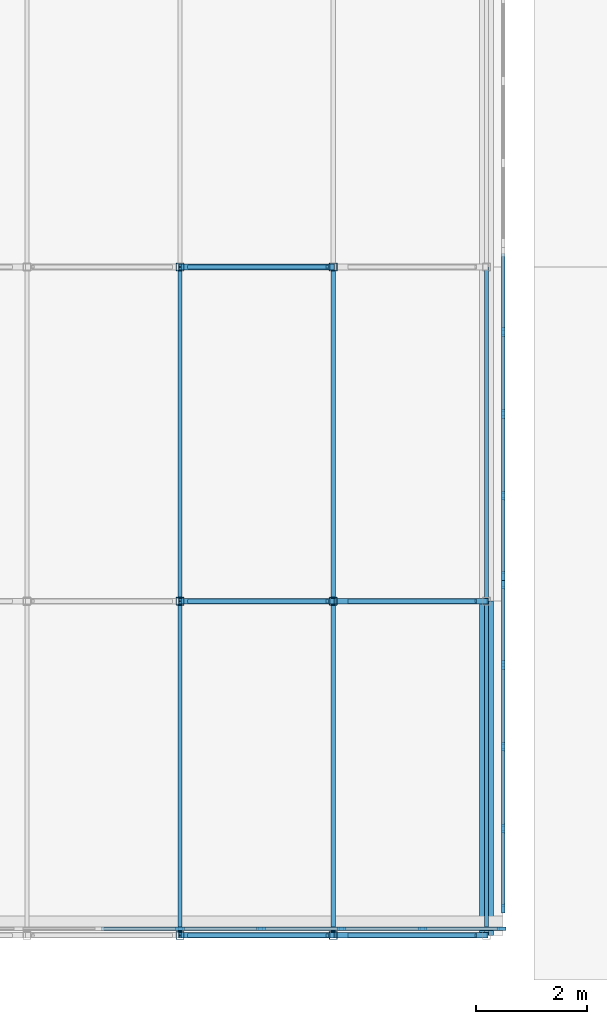
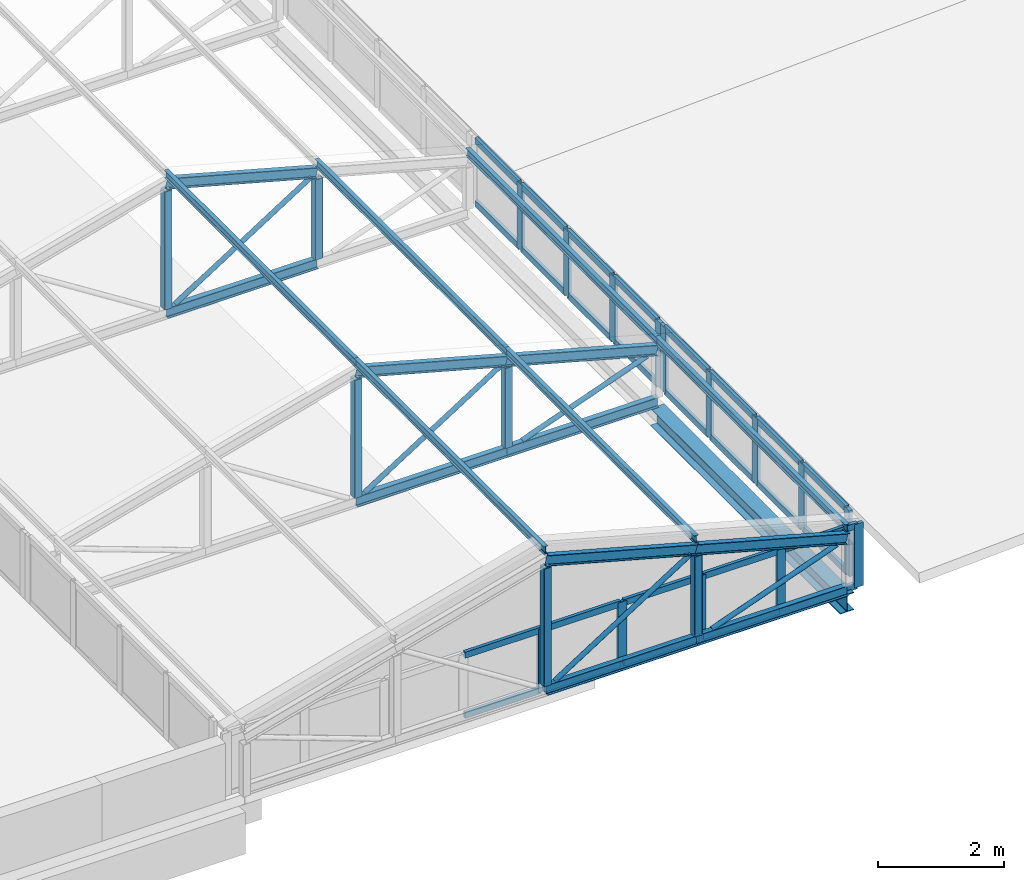
# One storey, part 5 of 94: 67 members, 1 beam, 3 elements without a shape of their own.
"""IFC4 building model written with IfcOpenShell, lengths in metres."""

from ifc_helpers import new_model, si_unit, direction, frame, origin, origin_2d, place, context, subcontext, project, spatial, rectangle, hollow_rectangle, hollow_circle, i_section, extrude, material, layer, layer_set, material_profile, profile_set, type_object, element, aggregate, save


model = new_model("IFC4")

# Units and contexts
model_context = context("Model", 3, precision=1e-05, world=origin(), true_north=direction((0.0, 1.0)))
body_context = subcontext(model_context, "Body", "Model", "MODEL_VIEW")
ifc_project = project(units=[si_unit("LENGTHUNIT", "METRE"), si_unit("AREAUNIT", "SQUARE_METRE"), si_unit("VOLUMEUNIT", "CUBIC_METRE"), si_unit("PLANEANGLEUNIT", "RADIAN"), si_unit("MASSUNIT", "GRAM", prefix="KILO")], contexts=[model_context])

# Site, building, storey
site_placement = place(None, origin())
site = spatial("IfcSite", under=ifc_project, at=site_placement, CompositionType="ELEMENT")
building_placement = place(site_placement, origin())
building = spatial("IfcBuilding", under=site, at=building_placement, Name="Lilac Gate Convention Centre", CompositionType="ELEMENT")
storey_placement = place(building_placement, frame((0.0, 0.0, 21.0)))
storey = spatial("IfcBuildingStorey", under=building, at=storey_placement, Name="L04", CompositionType="ELEMENT", Elevation=21.0)

# Curtain wall, members
ifc_material_1 = material(Name="Aluminium framed double glazing", Category="aluminium")
ifc_layer = layer(ifc_material_1, 0.199951171875)
ifc_layer_set = layer_set([ifc_layer], Name="Aluminium framed double glazing")
curtain_wall_type = type_object("IfcCurtainWallType", Name="Unitised curtain wall 1500", PredefinedType="NOTDEFINED", material=ifc_layer_set)
curtain_wall_1_placement = place(storey_placement, origin())
curtain_wall_1 = element("IfcCurtainWall", 1, at=curtain_wall_1_placement, inside=storey, type_object=curtain_wall_type, Name="Lantern clerestory E 1", PredefinedType="NOTDEFINED")
ifc_material_2 = material(Name="Aluminium alloy 6063", Category="aluminium")
ifc_material_profile_1 = material_profile(ifc_material_2, rectangle(XDim=0.06005859375, YDim=0.159912109375, at=origin_2d()), Name="Curtain wall mullion 60 x 160")
ifc_profile_set_1 = profile_set([ifc_material_profile_1], Name="Aluminium alloy 6063")
member_type_1 = type_object("IfcMemberType", Name="Curtain wall mullion 60 x 160", PredefinedType="MULLION", material=ifc_profile_set_1)
member_1_placement = place(storey_placement, frame((28.89990234375, 30.47998046875, 0.0), z_axis=(0.0, 0.0, 1.0), x_axis=(-1.0, 0.0, 0.0)))
member_1 = element("IfcMember", 2, at=member_1_placement, type_object=member_type_1, Name="CW mullion 1", PredefinedType="MULLION", context=body_context, shape_type="SweptSolid", body=[
    extrude(rectangle(XDim=0.06005859375, YDim=0.159912109375, at=origin_2d()), origin(), (0.0, 0.0, 1.0), 1.272216796875),
])
member_2_placement = place(storey_placement, frame((28.89990234375, 31.918701171875, 0.0), z_axis=(0.0, 0.0, 1.0), x_axis=(-1.0, 0.0, 0.0)))
member_2 = element("IfcMember", 3, at=member_2_placement, type_object=member_type_1, Name="CW mullion 2", PredefinedType="MULLION", context=body_context, shape_type="SweptSolid", body=[
    extrude(rectangle(XDim=0.06005859375, YDim=0.159912109375, at=origin_2d()), origin(), (0.0, 0.0, 1.0), 1.272216796875),
])
member_3_placement = place(storey_placement, frame((28.89990234375, 33.387451171875, 0.0), z_axis=(0.0, 0.0, 1.0), x_axis=(-1.0, 0.0, 0.0)))
member_3 = element("IfcMember", 4, at=member_3_placement, type_object=member_type_1, Name="CW mullion 3", PredefinedType="MULLION", context=body_context, shape_type="SweptSolid", body=[
    extrude(rectangle(XDim=0.06005859375, YDim=0.159912109375, at=origin_2d()), origin(), (0.0, 0.0, 1.0), 1.272216796875),
])
member_4_placement = place(storey_placement, frame((28.89990234375, 34.856201171875, 0.0), z_axis=(0.0, 0.0, 1.0), x_axis=(-1.0, 0.0, 0.0)))
member_4 = element("IfcMember", 5, at=member_4_placement, type_object=member_type_1, Name="CW mullion 4", PredefinedType="MULLION", context=body_context, shape_type="SweptSolid", body=[
    extrude(rectangle(XDim=0.06005859375, YDim=0.159912109375, at=origin_2d()), origin(), (0.0, 0.0, 1.0), 1.272216796875),
])
member_5_placement = place(storey_placement, frame((28.89990234375, 36.294921875, 0.0), z_axis=(0.0, 0.0, 1.0), x_axis=(-1.0, 0.0, 0.0)))
member_5 = element("IfcMember", 6, at=member_5_placement, type_object=member_type_1, Name="CW mullion 5", PredefinedType="MULLION", context=body_context, shape_type="SweptSolid", body=[
    extrude(rectangle(XDim=0.06005859375, YDim=0.159912109375, at=origin_2d()), origin(), (0.0, 0.0, 1.0), 1.272216796875),
])

curtain_wall_2_placement = place(storey_placement, origin())
curtain_wall_2 = element("IfcCurtainWall", 7, at=curtain_wall_2_placement, inside=storey, type_object=curtain_wall_type, Name="Lantern clerestory E 2", PredefinedType="NOTDEFINED")
member_6_placement = place(storey_placement, frame((28.89990234375, 36.455078125, 0.0), z_axis=(0.0, 0.0, 1.0), x_axis=(-1.0, 0.0, 0.0)))
member_6 = element("IfcMember", 8, at=member_6_placement, type_object=member_type_1, Name="CW mullion 1", PredefinedType="MULLION", context=body_context, shape_type="SweptSolid", body=[
    extrude(rectangle(XDim=0.06005859375, YDim=0.159912109375, at=origin_2d()), origin(), (0.0, 0.0, 1.0), 1.272216796875),
])
member_7_placement = place(storey_placement, frame((28.89990234375, 37.893798828125, 0.0), z_axis=(0.0, 0.0, 1.0), x_axis=(-1.0, 0.0, 0.0)))
member_7 = element("IfcMember", 9, at=member_7_placement, type_object=member_type_1, Name="CW mullion 2", PredefinedType="MULLION", context=body_context, shape_type="SweptSolid", body=[
    extrude(rectangle(XDim=0.06005859375, YDim=0.159912109375, at=origin_2d()), origin(), (0.0, 0.0, 1.0), 1.272216796875),
])
member_8_placement = place(storey_placement, frame((28.89990234375, 39.362548828125, 0.0), z_axis=(0.0, 0.0, 1.0), x_axis=(-1.0, 0.0, 0.0)))
member_8 = element("IfcMember", 10, at=member_8_placement, type_object=member_type_1, Name="CW mullion 3", PredefinedType="MULLION", context=body_context, shape_type="SweptSolid", body=[
    extrude(rectangle(XDim=0.06005859375, YDim=0.159912109375, at=origin_2d()), origin(), (0.0, 0.0, 1.0), 1.272216796875),
])
member_9_placement = place(storey_placement, frame((28.89990234375, 40.831298828125, 0.0), z_axis=(0.0, 0.0, 1.0), x_axis=(-1.0, 0.0, 0.0)))
member_9 = element("IfcMember", 11, at=member_9_placement, type_object=member_type_1, Name="CW mullion 4", PredefinedType="MULLION", context=body_context, shape_type="SweptSolid", body=[
    extrude(rectangle(XDim=0.06005859375, YDim=0.159912109375, at=origin_2d()), origin(), (0.0, 0.0, 1.0), 1.272216796875),
])

curtain_wall_3_placement = place(storey_placement, origin())
curtain_wall_3 = element("IfcCurtainWall", 12, at=curtain_wall_3_placement, inside=storey, type_object=curtain_wall_type, Name="Lantern end glazing S", PredefinedType="NOTDEFINED")
member_10_placement = place(storey_placement, frame((23.10009765625, 30.1201171875, 0.0), z_axis=(0.0, 0.0, 1.0), x_axis=(0.0, 1.0, 0.0)))
member_10 = element("IfcMember", 13, at=member_10_placement, type_object=member_type_1, Name="CW mullion 5", PredefinedType="MULLION", context=body_context, shape_type="SweptSolid", body=[
    extrude(rectangle(XDim=0.06005859375, YDim=0.159912109375, at=origin_2d()), origin(), (0.0, 0.0, 1.0), 1.22216796875),
])
member_11_placement = place(storey_placement, frame((24.550048828125, 30.1201171875, 0.0), z_axis=(0.0, 0.0, 1.0), x_axis=(0.0, 1.0, 0.0)))
member_11 = element("IfcMember", 14, at=member_11_placement, type_object=member_type_1, Name="CW mullion 6", PredefinedType="MULLION", context=body_context, shape_type="SweptSolid", body=[
    extrude(rectangle(XDim=0.06005859375, YDim=0.159912109375, at=origin_2d()), origin(), (0.0, 0.0, 1.0), 1.22216796875),
])
member_12_placement = place(storey_placement, frame((26.0, 30.1201171875, 0.0), z_axis=(0.0, 0.0, 1.0), x_axis=(0.0, 1.0, 0.0)))
member_12 = element("IfcMember", 15, at=member_12_placement, type_object=member_type_1, Name="CW mullion 7", PredefinedType="MULLION", context=body_context, shape_type="SweptSolid", body=[
    extrude(rectangle(XDim=0.06005859375, YDim=0.159912109375, at=origin_2d()), origin(), (0.0, 0.0, 1.0), 1.22216796875),
])
member_13_placement = place(storey_placement, frame((27.449951171875, 30.1201171875, 0.0), z_axis=(0.0, 0.0, 1.0), x_axis=(0.0, 1.0, 0.0)))
member_13 = element("IfcMember", 16, at=member_13_placement, type_object=member_type_1, Name="CW mullion 8", PredefinedType="MULLION", context=body_context, shape_type="SweptSolid", body=[
    extrude(rectangle(XDim=0.06005859375, YDim=0.159912109375, at=origin_2d()), origin(), (0.0, 0.0, 1.0), 1.22216796875),
])
member_14_placement = place(storey_placement, frame((28.869873046875, 30.1201171875, 0.0), z_axis=(0.0, 0.0, 1.0), x_axis=(0.0, 1.0, 0.0)))
member_14 = element("IfcMember", 17, at=member_14_placement, type_object=member_type_1, Name="CW mullion 9", PredefinedType="MULLION", context=body_context, shape_type="SweptSolid", body=[
    extrude(rectangle(XDim=0.06005859375, YDim=0.159912109375, at=origin_2d()), origin(), (0.0, 0.0, 1.0), 1.22216796875),
])

# Member
ifc_material_profile_2 = material_profile(ifc_material_2, rectangle(XDim=0.06005859375, YDim=0.1201171875, at=origin_2d()), Name="Curtain wall transom 60 x 120")
ifc_profile_set_2 = profile_set([ifc_material_profile_2], Name="Aluminium alloy 6063")
member_type_2 = type_object("IfcMemberType", Name="Curtain wall transom 60 x 120", PredefinedType="USERDEFINED", material=ifc_profile_set_2)
member_15_placement = place(storey_placement, frame((28.89990234375, 30.510009765625, 0.030029296875), z_axis=(0.0, 1.0, 0.0), x_axis=(-1.0, 0.0, 0.0)))
member_15 = element("IfcMember", 18, at=member_15_placement, type_object=member_type_2, Name="CW transom 1.1", ObjectType="TRANSOM", PredefinedType="USERDEFINED", context=body_context, shape_type="SweptSolid", body=[
    extrude(rectangle(XDim=0.06005859375, YDim=0.1201171875, at=origin_2d()), origin(), (0.0, 0.0, 1.0), 1.378662109375),
])

member_16_placement = place(storey_placement, frame((28.89990234375, 30.510009765625, 1.2421875), z_axis=(0.0, 1.0, 0.0), x_axis=(-1.0, 0.0, 0.0)))
member_16 = element("IfcMember", 19, at=member_16_placement, type_object=member_type_2, Name="CW transom 1.2", ObjectType="TRANSOM", PredefinedType="USERDEFINED", context=body_context, shape_type="SweptSolid", body=[
    extrude(rectangle(XDim=0.06005859375, YDim=0.1201171875, at=origin_2d()), origin(), (0.0, 0.0, 1.0), 1.378662109375),
])

member_17_placement = place(storey_placement, frame((28.89990234375, 31.94873046875, 0.030029296875), z_axis=(0.0, 1.0, 0.0), x_axis=(-1.0, 0.0, 0.0)))
member_17 = element("IfcMember", 20, at=member_17_placement, type_object=member_type_2, Name="CW transom 2.1", ObjectType="TRANSOM", PredefinedType="USERDEFINED", context=body_context, shape_type="SweptSolid", body=[
    extrude(rectangle(XDim=0.06005859375, YDim=0.1201171875, at=origin_2d()), origin(), (0.0, 0.0, 1.0), 1.40869140625),
])

member_18_placement = place(storey_placement, frame((28.89990234375, 31.94873046875, 1.2421875), z_axis=(0.0, 1.0, 0.0), x_axis=(-1.0, 0.0, 0.0)))
member_18 = element("IfcMember", 21, at=member_18_placement, type_object=member_type_2, Name="CW transom 2.2", ObjectType="TRANSOM", PredefinedType="USERDEFINED", context=body_context, shape_type="SweptSolid", body=[
    extrude(rectangle(XDim=0.06005859375, YDim=0.1201171875, at=origin_2d()), origin(), (0.0, 0.0, 1.0), 1.40869140625),
])

member_19_placement = place(storey_placement, frame((28.89990234375, 33.41748046875, 0.030029296875), z_axis=(0.0, 1.0, 0.0), x_axis=(-1.0, 0.0, 0.0)))
member_19 = element("IfcMember", 22, at=member_19_placement, type_object=member_type_2, Name="CW transom 3.1", ObjectType="TRANSOM", PredefinedType="USERDEFINED", context=body_context, shape_type="SweptSolid", body=[
    extrude(rectangle(XDim=0.06005859375, YDim=0.1201171875, at=origin_2d()), origin(), (0.0, 0.0, 1.0), 1.40869140625),
])

member_20_placement = place(storey_placement, frame((28.89990234375, 33.41748046875, 1.2421875), z_axis=(0.0, 1.0, 0.0), x_axis=(-1.0, 0.0, 0.0)))
member_20 = element("IfcMember", 23, at=member_20_placement, type_object=member_type_2, Name="CW transom 3.2", ObjectType="TRANSOM", PredefinedType="USERDEFINED", context=body_context, shape_type="SweptSolid", body=[
    extrude(rectangle(XDim=0.06005859375, YDim=0.1201171875, at=origin_2d()), origin(), (0.0, 0.0, 1.0), 1.40869140625),
])

member_21_placement = place(storey_placement, frame((28.89990234375, 34.88623046875, 0.030029296875), z_axis=(0.0, 1.0, 0.0), x_axis=(-1.0, 0.0, 0.0)))
member_21 = element("IfcMember", 24, at=member_21_placement, type_object=member_type_2, Name="CW transom 4.1", ObjectType="TRANSOM", PredefinedType="USERDEFINED", context=body_context, shape_type="SweptSolid", body=[
    extrude(rectangle(XDim=0.06005859375, YDim=0.1201171875, at=origin_2d()), origin(), (0.0, 0.0, 1.0), 1.378662109375),
])

member_22_placement = place(storey_placement, frame((28.89990234375, 34.88623046875, 1.2421875), z_axis=(0.0, 1.0, 0.0), x_axis=(-1.0, 0.0, 0.0)))
member_22 = element("IfcMember", 25, at=member_22_placement, type_object=member_type_2, Name="CW transom 4.2", ObjectType="TRANSOM", PredefinedType="USERDEFINED", context=body_context, shape_type="SweptSolid", body=[
    extrude(rectangle(XDim=0.06005859375, YDim=0.1201171875, at=origin_2d()), origin(), (0.0, 0.0, 1.0), 1.378662109375),
])

aggregate(curtain_wall_1, [member_1, member_2, member_3, member_4, member_5, member_15, member_16, member_17, member_18, member_19, member_20, member_21, member_22])

member_23_placement = place(storey_placement, frame((28.89990234375, 36.485107421875, 0.030029296875), z_axis=(0.0, 1.0, 0.0), x_axis=(-1.0, 0.0, 0.0)))
member_23 = element("IfcMember", 26, at=member_23_placement, type_object=member_type_2, Name="CW transom 1.1", ObjectType="TRANSOM", PredefinedType="USERDEFINED", context=body_context, shape_type="SweptSolid", body=[
    extrude(rectangle(XDim=0.06005859375, YDim=0.1201171875, at=origin_2d()), origin(), (0.0, 0.0, 1.0), 1.378662109375),
])

member_24_placement = place(storey_placement, frame((28.89990234375, 36.485107421875, 1.2421875), z_axis=(0.0, 1.0, 0.0), x_axis=(-1.0, 0.0, 0.0)))
member_24 = element("IfcMember", 27, at=member_24_placement, type_object=member_type_2, Name="CW transom 1.2", ObjectType="TRANSOM", PredefinedType="USERDEFINED", context=body_context, shape_type="SweptSolid", body=[
    extrude(rectangle(XDim=0.06005859375, YDim=0.1201171875, at=origin_2d()), origin(), (0.0, 0.0, 1.0), 1.378662109375),
])

member_25_placement = place(storey_placement, frame((28.89990234375, 37.923828125, 0.030029296875), z_axis=(0.0, 1.0, 0.0), x_axis=(-1.0, 0.0, 0.0)))
member_25 = element("IfcMember", 28, at=member_25_placement, type_object=member_type_2, Name="CW transom 2.1", ObjectType="TRANSOM", PredefinedType="USERDEFINED", context=body_context, shape_type="SweptSolid", body=[
    extrude(rectangle(XDim=0.06005859375, YDim=0.1201171875, at=origin_2d()), origin(), (0.0, 0.0, 1.0), 1.40869140625),
])

member_26_placement = place(storey_placement, frame((28.89990234375, 37.923828125, 1.2421875), z_axis=(0.0, 1.0, 0.0), x_axis=(-1.0, 0.0, 0.0)))
member_26 = element("IfcMember", 29, at=member_26_placement, type_object=member_type_2, Name="CW transom 2.2", ObjectType="TRANSOM", PredefinedType="USERDEFINED", context=body_context, shape_type="SweptSolid", body=[
    extrude(rectangle(XDim=0.06005859375, YDim=0.1201171875, at=origin_2d()), origin(), (0.0, 0.0, 1.0), 1.40869140625),
])

member_27_placement = place(storey_placement, frame((28.89990234375, 39.392578125, 0.030029296875), z_axis=(0.0, 1.0, 0.0), x_axis=(-1.0, 0.0, 0.0)))
member_27 = element("IfcMember", 30, at=member_27_placement, type_object=member_type_2, Name="CW transom 3.1", ObjectType="TRANSOM", PredefinedType="USERDEFINED", context=body_context, shape_type="SweptSolid", body=[
    extrude(rectangle(XDim=0.06005859375, YDim=0.1201171875, at=origin_2d()), origin(), (0.0, 0.0, 1.0), 1.40869140625),
])

member_28_placement = place(storey_placement, frame((28.89990234375, 39.392578125, 1.2421875), z_axis=(0.0, 1.0, 0.0), x_axis=(-1.0, 0.0, 0.0)))
member_28 = element("IfcMember", 31, at=member_28_placement, type_object=member_type_2, Name="CW transom 3.2", ObjectType="TRANSOM", PredefinedType="USERDEFINED", context=body_context, shape_type="SweptSolid", body=[
    extrude(rectangle(XDim=0.06005859375, YDim=0.1201171875, at=origin_2d()), origin(), (0.0, 0.0, 1.0), 1.40869140625),
])

member_29_placement = place(storey_placement, frame((28.89990234375, 40.861328125, 0.030029296875), z_axis=(0.0, 1.0, 0.0), x_axis=(-1.0, 0.0, 0.0)))
member_29 = element("IfcMember", 32, at=member_29_placement, type_object=member_type_2, Name="CW transom 4.1", ObjectType="TRANSOM", PredefinedType="USERDEFINED", context=body_context, shape_type="SweptSolid", body=[
    extrude(rectangle(XDim=0.06005859375, YDim=0.1201171875, at=origin_2d()), origin(), (0.0, 0.0, 1.0), 1.378662109375),
])

member_30_placement = place(storey_placement, frame((28.89990234375, 40.861328125, 1.2421875), z_axis=(0.0, 1.0, 0.0), x_axis=(-1.0, 0.0, 0.0)))
member_30 = element("IfcMember", 33, at=member_30_placement, type_object=member_type_2, Name="CW transom 4.2", ObjectType="TRANSOM", PredefinedType="USERDEFINED", context=body_context, shape_type="SweptSolid", body=[
    extrude(rectangle(XDim=0.06005859375, YDim=0.1201171875, at=origin_2d()), origin(), (0.0, 0.0, 1.0), 1.378662109375),
])

aggregate(curtain_wall_2, [member_6, member_7, member_8, member_9, member_23, member_24, member_25, member_26, member_27, member_28, member_29, member_30])

member_31_placement = place(storey_placement, frame((21.679931640625, 30.1201171875, 0.030029296875), z_axis=(1.0, 0.0, 0.0), x_axis=(0.0, 1.0, 0.0)))
member_31 = element("IfcMember", 34, at=member_31_placement, type_object=member_type_2, Name="CW transom 4.1", ObjectType="TRANSOM", PredefinedType="USERDEFINED", context=body_context, shape_type="SweptSolid", body=[
    extrude(rectangle(XDim=0.06005859375, YDim=0.1201171875, at=origin_2d()), origin(), (0.0, 0.0, 1.0), 1.39013671875),
])

member_32_placement = place(storey_placement, frame((21.679931640625, 30.1201171875, 1.192138671875), z_axis=(1.0, 0.0, 0.0), x_axis=(0.0, 1.0, 0.0)))
member_32 = element("IfcMember", 35, at=member_32_placement, type_object=member_type_2, Name="CW transom 4.2", ObjectType="TRANSOM", PredefinedType="USERDEFINED", context=body_context, shape_type="SweptSolid", body=[
    extrude(rectangle(XDim=0.06005859375, YDim=0.1201171875, at=origin_2d()), origin(), (0.0, 0.0, 1.0), 1.39013671875),
])

member_33_placement = place(storey_placement, frame((23.1298828125, 30.1201171875, 0.030029296875), z_axis=(1.0, 0.0, 0.0), x_axis=(0.0, 1.0, 0.0)))
member_33 = element("IfcMember", 36, at=member_33_placement, type_object=member_type_2, Name="CW transom 5.1", ObjectType="TRANSOM", PredefinedType="USERDEFINED", context=body_context, shape_type="SweptSolid", body=[
    extrude(rectangle(XDim=0.06005859375, YDim=0.1201171875, at=origin_2d()), origin(), (0.0, 0.0, 1.0), 1.39013671875),
])

member_34_placement = place(storey_placement, frame((23.1298828125, 30.1201171875, 1.192138671875), z_axis=(1.0, 0.0, 0.0), x_axis=(0.0, 1.0, 0.0)))
member_34 = element("IfcMember", 37, at=member_34_placement, type_object=member_type_2, Name="CW transom 5.2", ObjectType="TRANSOM", PredefinedType="USERDEFINED", context=body_context, shape_type="SweptSolid", body=[
    extrude(rectangle(XDim=0.06005859375, YDim=0.1201171875, at=origin_2d()), origin(), (0.0, 0.0, 1.0), 1.39013671875),
])

member_35_placement = place(storey_placement, frame((24.580078125, 30.1201171875, 0.030029296875), z_axis=(1.0, 0.0, 0.0), x_axis=(0.0, 1.0, 0.0)))
member_35 = element("IfcMember", 38, at=member_35_placement, type_object=member_type_2, Name="CW transom 6.1", ObjectType="TRANSOM", PredefinedType="USERDEFINED", context=body_context, shape_type="SweptSolid", body=[
    extrude(rectangle(XDim=0.06005859375, YDim=0.1201171875, at=origin_2d()), origin(), (0.0, 0.0, 1.0), 1.389892578125),
])

member_36_placement = place(storey_placement, frame((24.580078125, 30.1201171875, 1.192138671875), z_axis=(1.0, 0.0, 0.0), x_axis=(0.0, 1.0, 0.0)))
member_36 = element("IfcMember", 39, at=member_36_placement, type_object=member_type_2, Name="CW transom 6.2", ObjectType="TRANSOM", PredefinedType="USERDEFINED", context=body_context, shape_type="SweptSolid", body=[
    extrude(rectangle(XDim=0.06005859375, YDim=0.1201171875, at=origin_2d()), origin(), (0.0, 0.0, 1.0), 1.389892578125),
])

member_37_placement = place(storey_placement, frame((26.030029296875, 30.1201171875, 0.030029296875), z_axis=(1.0, 0.0, 0.0), x_axis=(0.0, 1.0, 0.0)))
member_37 = element("IfcMember", 40, at=member_37_placement, type_object=member_type_2, Name="CW transom 7.1", ObjectType="TRANSOM", PredefinedType="USERDEFINED", context=body_context, shape_type="SweptSolid", body=[
    extrude(rectangle(XDim=0.06005859375, YDim=0.1201171875, at=origin_2d()), origin(), (0.0, 0.0, 1.0), 1.389892578125),
])

member_38_placement = place(storey_placement, frame((26.030029296875, 30.1201171875, 1.192138671875), z_axis=(1.0, 0.0, 0.0), x_axis=(0.0, 1.0, 0.0)))
member_38 = element("IfcMember", 41, at=member_38_placement, type_object=member_type_2, Name="CW transom 7.2", ObjectType="TRANSOM", PredefinedType="USERDEFINED", context=body_context, shape_type="SweptSolid", body=[
    extrude(rectangle(XDim=0.06005859375, YDim=0.1201171875, at=origin_2d()), origin(), (0.0, 0.0, 1.0), 1.389892578125),
])

member_39_placement = place(storey_placement, frame((27.47998046875, 30.1201171875, 0.030029296875), z_axis=(1.0, 0.0, 0.0), x_axis=(0.0, 1.0, 0.0)))
member_39 = element("IfcMember", 42, at=member_39_placement, type_object=member_type_2, Name="CW transom 8.1", ObjectType="TRANSOM", PredefinedType="USERDEFINED", context=body_context, shape_type="SweptSolid", body=[
    extrude(rectangle(XDim=0.06005859375, YDim=0.1201171875, at=origin_2d()), origin(), (0.0, 0.0, 1.0), 1.35986328125),
])

member_40_placement = place(storey_placement, frame((27.47998046875, 30.1201171875, 1.192138671875), z_axis=(1.0, 0.0, 0.0), x_axis=(0.0, 1.0, 0.0)))
member_40 = element("IfcMember", 43, at=member_40_placement, type_object=member_type_2, Name="CW transom 8.2", ObjectType="TRANSOM", PredefinedType="USERDEFINED", context=body_context, shape_type="SweptSolid", body=[
    extrude(rectangle(XDim=0.06005859375, YDim=0.1201171875, at=origin_2d()), origin(), (0.0, 0.0, 1.0), 1.35986328125),
])

aggregate(curtain_wall_3, [member_10, member_11, member_12, member_13, member_14, member_31, member_32, member_33, member_34, member_35, member_36, member_37, member_38, member_39, member_40])

# Members
ifc_material_3 = material(Name="Steel Q355B", Category="steel")
ifc_material_profile_3 = material_profile(ifc_material_3, i_section(OverallWidth=0.10009765625, OverallDepth=0.199951171875, WebThickness=0.005615234375, FlangeThickness=0.008056640625, FilletRadius=0.008056640625, at=origin_2d()), Name="HN200x100x5.5x8")
ifc_profile_set_3 = profile_set([ifc_material_profile_3], Name="Steel Q355B")
member_type_3 = type_object("IfcMemberType", Name="Lantern bottom chord HN200x100x5.5x8", PredefinedType="CHORD", material=ifc_profile_set_3)
for number, where, z_axis, x_axis, name in (
    (44, (23.10009765625, 30.0, 0.10009765625), (1.0, 0.0, 0.0), (0.0, 1.0, 0.0), "LB1 lantern truss 1 bottom chord 3"),
    (45, (25.85009765625, 30.0, 0.10009765625), (1.0, 0.0, 0.0), (0.0, 1.0, 0.0), "LB1 lantern truss 1 bottom chord 4"),
    (46, (23.10009765625, 36.0, 0.10009765625), (1.0, 0.0, 0.0), (0.0, 1.0, 0.0), "LB1 lantern truss 2 bottom chord 3"),
    (47, (25.85009765625, 36.0, 0.10009765625), (1.0, 0.0, 0.0), (0.0, 1.0, 0.0), "LB1 lantern truss 2 bottom chord 4"),
    (48, (23.10009765625, 42.0, 0.10009765625), (1.0, 0.0, 0.0), (0.0, 1.0, 0.0), "LB1 lantern truss 3 bottom chord 3"),
):
    element("IfcMember", number, at=place(storey_placement, frame(where, z_axis=z_axis, x_axis=x_axis)), inside=storey, type_object=member_type_3, Name=name, PredefinedType="CHORD", context=body_context, shape_type="SweptSolid", body=[
        extrude(i_section(OverallWidth=0.10009765625, OverallDepth=0.199951171875, WebThickness=0.005615234375, FlangeThickness=0.008056640625, FilletRadius=0.008056640625, at=origin_2d()), origin(), (0.0, 0.0, 1.0), 2.75),
    ])
ifc_material_profile_4 = material_profile(ifc_material_3, hollow_circle(Radius=0.04443359375, WallThickness=0.0048828125, at=origin_2d()), Name="CHS88.9x5")
ifc_profile_set_4 = profile_set([ifc_material_profile_4], Name="Steel Q355B")
member_type_4 = type_object("IfcMemberType", Name="Lantern diagonal CHS88.9x5", PredefinedType="BRACE", material=ifc_profile_set_4)
member_41_placement = place(storey_placement, frame((25.74169921875, 30.0, 1.781005859375), z_axis=(-0.843671728148, 0.0, -0.536859399773), x_axis=(0.0, -1.0, 0.0)))
element("IfcMember", 49, at=member_41_placement, inside=storey, type_object=member_type_4, Name="LW1 lantern truss 1 diagonal 3", PredefinedType="BRACE", context=body_context, shape_type="SweptSolid", body=[
    extrude(hollow_circle(Radius=0.04443359375, WallThickness=0.0048828125, at=origin_2d()), origin(), (0.0, 0.0, 1.0), 2.945068359375),
])
member_42_placement = place(storey_placement, frame((28.410400390625, 30.0, 1.031005859375), z_axis=(-0.939793423488, 0.0, -0.341743063087), x_axis=(0.0, -1.0, 0.0)))
element("IfcMember", 50, at=member_42_placement, inside=storey, type_object=member_type_4, Name="LW1 lantern truss 1 diagonal 4", PredefinedType="BRACE", context=body_context, shape_type="SweptSolid", body=[
    extrude(hollow_circle(Radius=0.04443359375, WallThickness=0.0048828125, at=origin_2d()), origin(), (0.0, 0.0, 1.0), 2.431884765625),
])
member_43_placement = place(storey_placement, frame((25.74169921875, 36.0, 1.781005859375), z_axis=(-0.843671728148, 0.0, -0.536859399773), x_axis=(0.0, -1.0, 0.0)))
element("IfcMember", 51, at=member_43_placement, inside=storey, type_object=member_type_4, Name="LW1 lantern truss 2 diagonal 3", PredefinedType="BRACE", context=body_context, shape_type="SweptSolid", body=[
    extrude(hollow_circle(Radius=0.04443359375, WallThickness=0.0048828125, at=origin_2d()), origin(), (0.0, 0.0, 1.0), 2.945068359375),
])
member_44_placement = place(storey_placement, frame((28.410400390625, 36.0, 1.031005859375), z_axis=(-0.939793423488, 0.0, -0.341743063087), x_axis=(0.0, -1.0, 0.0)))
element("IfcMember", 52, at=member_44_placement, inside=storey, type_object=member_type_4, Name="LW1 lantern truss 2 diagonal 4", PredefinedType="BRACE", context=body_context, shape_type="SweptSolid", body=[
    extrude(hollow_circle(Radius=0.04443359375, WallThickness=0.0048828125, at=origin_2d()), origin(), (0.0, 0.0, 1.0), 2.431884765625),
])
member_45_placement = place(storey_placement, frame((25.74169921875, 42.0, 1.781005859375), z_axis=(-0.843671728148, 0.0, -0.536859399773), x_axis=(0.0, -1.0, 0.0)))
element("IfcMember", 53, at=member_45_placement, inside=storey, type_object=member_type_4, Name="LW1 lantern truss 3 diagonal 3", PredefinedType="BRACE", context=body_context, shape_type="SweptSolid", body=[
    extrude(hollow_circle(Radius=0.04443359375, WallThickness=0.0048828125, at=origin_2d()), origin(), (0.0, 0.0, 1.0), 2.945068359375),
])
ifc_material_profile_5 = material_profile(ifc_material_3, hollow_rectangle(XDim=0.139892578125, YDim=0.139892578125, WallThickness=0.0048828125, InnerFilletRadius=0.0048828125, OuterFilletRadius=0.010009765625, at=origin_2d()), Name="SHS140x140x5")
ifc_profile_set_5 = profile_set([ifc_material_profile_5], Name="Steel Q355B")
member_type_5 = type_object("IfcMemberType", Name="Lantern post SHS140x140x5", PredefinedType="STRUT", material=ifc_profile_set_5)
member_46_placement = place(storey_placement, frame((23.10009765625, 30.0, 0.199951171875), z_axis=(0.0, 0.0, 1.0), x_axis=(1.0, 0.0, 0.0)))
element("IfcMember", 54, at=member_46_placement, inside=storey, type_object=member_type_5, Name="LV1 lantern truss 1 post 3", PredefinedType="STRUT", context=body_context, shape_type="SweptSolid", body=[
    extrude(hollow_rectangle(XDim=0.139892578125, YDim=0.139892578125, WallThickness=0.0048828125, InnerFilletRadius=0.0048828125, OuterFilletRadius=0.010009765625, at=origin_2d()), origin(), (0.0, 0.0, 1.0), 2.277099609375),
])
member_47_placement = place(storey_placement, frame((25.85009765625, 30.0, 0.199951171875), z_axis=(0.0, 0.0, 1.0), x_axis=(1.0, 0.0, 0.0)))
element("IfcMember", 55, at=member_47_placement, inside=storey, type_object=member_type_5, Name="LV1 lantern truss 1 post 4", PredefinedType="STRUT", context=body_context, shape_type="SweptSolid", body=[
    extrude(hollow_rectangle(XDim=0.139892578125, YDim=0.139892578125, WallThickness=0.0048828125, InnerFilletRadius=0.0048828125, OuterFilletRadius=0.010009765625, at=origin_2d()), origin(), (0.0, 0.0, 1.0), 1.546142578125),
])
member_48_placement = place(storey_placement, frame((23.10009765625, 36.0, 0.199951171875), z_axis=(0.0, 0.0, 1.0), x_axis=(1.0, 0.0, 0.0)))
element("IfcMember", 56, at=member_48_placement, inside=storey, type_object=member_type_5, Name="LV1 lantern truss 2 post 3", PredefinedType="STRUT", context=body_context, shape_type="SweptSolid", body=[
    extrude(hollow_rectangle(XDim=0.139892578125, YDim=0.139892578125, WallThickness=0.0048828125, InnerFilletRadius=0.0048828125, OuterFilletRadius=0.010009765625, at=origin_2d()), origin(), (0.0, 0.0, 1.0), 2.277099609375),
])
member_49_placement = place(storey_placement, frame((25.85009765625, 36.0, 0.199951171875), z_axis=(0.0, 0.0, 1.0), x_axis=(1.0, 0.0, 0.0)))
element("IfcMember", 57, at=member_49_placement, inside=storey, type_object=member_type_5, Name="LV1 lantern truss 2 post 4", PredefinedType="STRUT", context=body_context, shape_type="SweptSolid", body=[
    extrude(hollow_rectangle(XDim=0.139892578125, YDim=0.139892578125, WallThickness=0.0048828125, InnerFilletRadius=0.0048828125, OuterFilletRadius=0.010009765625, at=origin_2d()), origin(), (0.0, 0.0, 1.0), 1.546142578125),
])
member_50_placement = place(storey_placement, frame((23.10009765625, 42.0, 0.199951171875), z_axis=(0.0, 0.0, 1.0), x_axis=(1.0, 0.0, 0.0)))
element("IfcMember", 58, at=member_50_placement, inside=storey, type_object=member_type_5, Name="LV1 lantern truss 3 post 3", PredefinedType="STRUT", context=body_context, shape_type="SweptSolid", body=[
    extrude(hollow_rectangle(XDim=0.139892578125, YDim=0.139892578125, WallThickness=0.0048828125, InnerFilletRadius=0.0048828125, OuterFilletRadius=0.010009765625, at=origin_2d()), origin(), (0.0, 0.0, 1.0), 2.277099609375),
])
member_51_placement = place(storey_placement, frame((25.85009765625, 42.0, 0.199951171875), z_axis=(0.0, 0.0, 1.0), x_axis=(1.0, 0.0, 0.0)))
element("IfcMember", 59, at=member_51_placement, inside=storey, type_object=member_type_5, Name="LV1 lantern truss 3 post 4", PredefinedType="STRUT", context=body_context, shape_type="SweptSolid", body=[
    extrude(hollow_rectangle(XDim=0.139892578125, YDim=0.139892578125, WallThickness=0.0048828125, InnerFilletRadius=0.0048828125, OuterFilletRadius=0.010009765625, at=origin_2d()), origin(), (0.0, 0.0, 1.0), 1.546142578125),
])
ifc_material_profile_6 = material_profile(ifc_material_3, i_section(OverallWidth=0.074951171875, OverallDepth=0.14990234375, WebThickness=0.0048828125, FlangeThickness=0.007080078125, FilletRadius=0.008056640625, at=origin_2d()), Name="HN150x75x5x7")
ifc_profile_set_6 = profile_set([ifc_material_profile_6], Name="Steel Q355B")
member_type_6 = type_object("IfcMemberType", Name="Lantern purlin HN150x75x5x7", PredefinedType="PURLIN", material=ifc_profile_set_6)
for number, where, z_axis, x_axis, name in (
    (60, (23.10009765625, 30.0, 2.779052734375), (0.0, 1.0, 0.0), (-1.0, 0.0, 0.0), "LP1 lantern purlin bay 1 line 3"),
    (61, (23.10009765625, 36.0, 2.779052734375), (0.0, 1.0, 0.0), (-1.0, 0.0, 0.0), "LP1 lantern purlin bay 2 line 3"),
    (62, (25.85009765625, 30.0, 2.029052734375), (0.0, 1.0, 0.0), (-1.0, 0.0, 0.0), "LP1 lantern purlin bay 1 line 4"),
    (63, (25.85009765625, 36.0, 2.029052734375), (0.0, 1.0, 0.0), (-1.0, 0.0, 0.0), "LP1 lantern purlin bay 2 line 4"),
    (64, (28.60009765625, 30.0, 1.279052734375), (0.0, 1.0, 0.0), (-1.0, 0.0, 0.0), "LP1 lantern purlin bay 1 line 5"),
    (65, (28.60009765625, 36.0, 1.279052734375), (0.0, 1.0, 0.0), (-1.0, 0.0, 0.0), "LP1 lantern purlin bay 2 line 5"),
):
    element("IfcMember", number, at=place(storey_placement, frame(where, z_axis=z_axis, x_axis=x_axis)), inside=storey, type_object=member_type_6, Name=name, PredefinedType="PURLIN", context=body_context, shape_type="SweptSolid", body=[
        extrude(i_section(OverallWidth=0.074951171875, OverallDepth=0.14990234375, WebThickness=0.0048828125, FlangeThickness=0.007080078125, FilletRadius=0.008056640625, at=origin_2d()), origin(), (0.0, 0.0, 1.0), 6.0),
    ])
ifc_material_profile_7 = material_profile(ifc_material_3, i_section(OverallWidth=0.10009765625, OverallDepth=0.199951171875, WebThickness=0.005615234375, FlangeThickness=0.008056640625, FilletRadius=0.008056640625, at=origin_2d()), Name="HN200x100x5.5x8")
ifc_profile_set_7 = profile_set([ifc_material_profile_7], Name="Steel Q355B")
member_type_7 = type_object("IfcMemberType", Name="Lantern top chord HN200x100x5.5x8", PredefinedType="CHORD", material=ifc_profile_set_7)
for number, where, z_axis, x_axis, name in (
    (66, (23.10009765625, 30.0, 2.60009765625), (0.964763821238, 0.0, -0.263117405792), (0.0, 1.0, 0.0), "LT1 lantern truss 1 top chord 3"),
    (67, (25.85009765625, 30.0, 1.85009765625), (0.964763821238, 0.0, -0.263117405792), (0.0, 1.0, 0.0), "LT1 lantern truss 1 top chord 4"),
    (68, (23.10009765625, 36.0, 2.60009765625), (0.964763821238, 0.0, -0.263117405792), (0.0, 1.0, 0.0), "LT1 lantern truss 2 top chord 3"),
    (69, (25.85009765625, 36.0, 1.85009765625), (0.964763821238, 0.0, -0.263117405792), (0.0, 1.0, 0.0), "LT1 lantern truss 2 top chord 4"),
    (70, (23.10009765625, 42.0, 2.60009765625), (0.964763821238, 0.0, -0.263117405792), (0.0, 1.0, 0.0), "LT1 lantern truss 3 top chord 3"),
):
    element("IfcMember", number, at=place(storey_placement, frame(where, z_axis=z_axis, x_axis=x_axis)), inside=storey, type_object=member_type_7, Name=name, PredefinedType="CHORD", context=body_context, shape_type="SweptSolid", body=[
        extrude(i_section(OverallWidth=0.10009765625, OverallDepth=0.199951171875, WebThickness=0.005615234375, FlangeThickness=0.008056640625, FilletRadius=0.008056640625, at=origin_2d()), origin(), (0.0, 0.0, 1.0), 2.850341796875),
    ])

# Beam
ifc_material_profile_8 = material_profile(ifc_material_3, i_section(OverallWidth=0.25, OverallDepth=0.340087890625, WebThickness=0.009033203125, FlangeThickness=0.013916015625, FilletRadius=0.012939453125, at=origin_2d()), Name="HM340x250x9x14")
ifc_profile_set_8 = profile_set([ifc_material_profile_8], Name="Steel Q355B")
beam_type = type_object("IfcBeamType", Name="Steel edge beam HM340x250x9x14", PredefinedType="BEAM", material=ifc_profile_set_8)
beam_placement = place(storey_placement, frame((28.60009765625, 30.0, -0.169921875), z_axis=(0.0, 1.0, 0.0), x_axis=(-1.0, 0.0, 0.0)))
element("IfcBeam", 71, at=beam_placement, inside=storey, type_object=beam_type, Name="LE1 lantern edge beam 1", PredefinedType="BEAM", context=body_context, shape_type="SweptSolid", body=[
    extrude(i_section(OverallWidth=0.25, OverallDepth=0.340087890625, WebThickness=0.009033203125, FlangeThickness=0.013916015625, FilletRadius=0.012939453125, at=origin_2d()), origin(), (0.0, 0.0, 1.0), 6.0),
])

save(model, "model.ifc")
